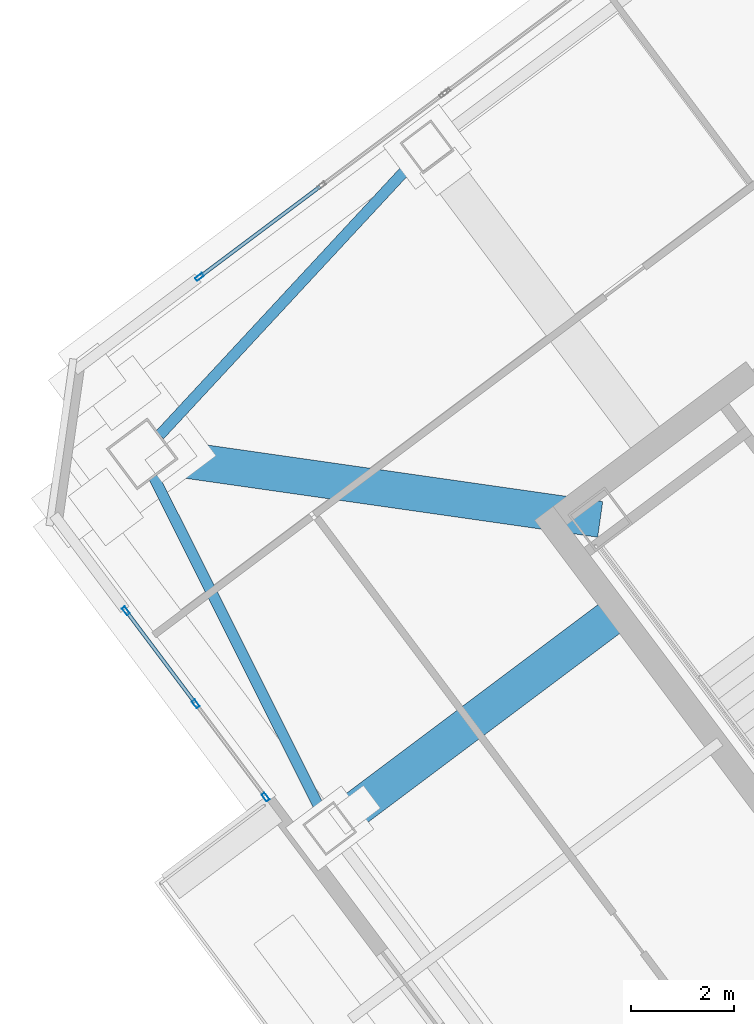
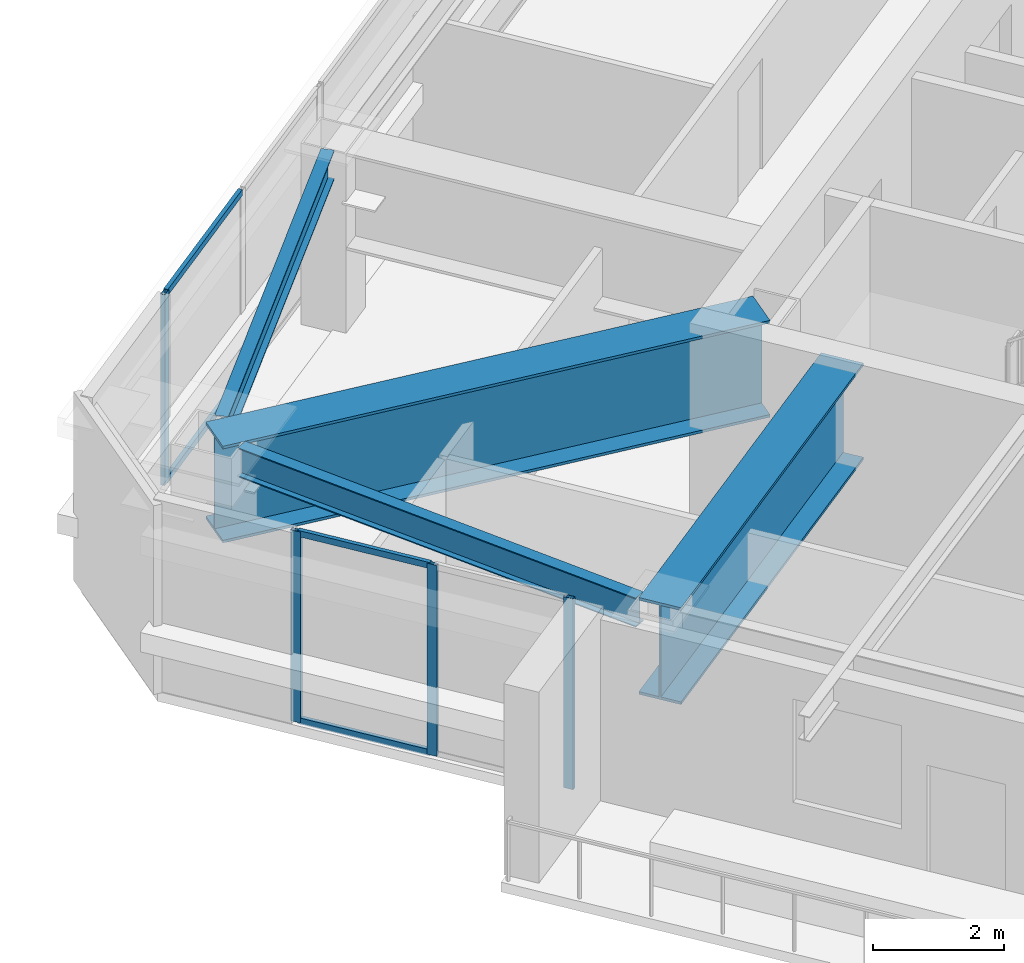
# One storey, part 20 of 40: 8 members, 4 beams, 2 elements without a shape of their own.
"""IFC4 building model written with IfcOpenShell, lengths in metres."""

from ifc_helpers import new_model, si_unit, direction, frame, origin, origin_2d, place, context, subcontext, project, spatial, hollow_rectangle, i_section, extrude, material, material_profile, profile_set, type_object, element, aggregate, save


model = new_model("IFC4")

# Units and contexts
model_context = context("Model", 3, precision=1e-05, world=origin(), true_north=direction((0.0, 1.0)))
body_context = subcontext(model_context, "Body", "Model", "MODEL_VIEW")
ifc_project = project(units=[si_unit("LENGTHUNIT", "METRE"), si_unit("AREAUNIT", "SQUARE_METRE"), si_unit("VOLUMEUNIT", "CUBIC_METRE"), si_unit("PLANEANGLEUNIT", "RADIAN"), si_unit("MASSUNIT", "GRAM", prefix="KILO")], contexts=[model_context])

# Site, building, storey
site_placement = place(None, origin())
site = spatial("IfcSite", under=ifc_project, at=site_placement, CompositionType="ELEMENT")
building_placement = place(site_placement, origin())
building = spatial("IfcBuilding", under=site, at=building_placement, Name="Tashvorn Skyway Center", CompositionType="ELEMENT")
storey_placement = place(building_placement, frame((0.0, 0.0, 229.050048828125)))
storey = spatial("IfcBuildingStorey", under=building, at=storey_placement, Name="L62", CompositionType="ELEMENT", Elevation=229.050048828125)

# Beams
ifc_material_1 = material(Name="Steel ASTM A572 Grade 50", Category="steel")
ifc_material_profile_1 = material_profile(ifc_material_1, i_section(OverallWidth=0.699951171875, OverallDepth=1.800048828125, WebThickness=0.031982421875, FlangeThickness=0.050048828125, at=origin_2d()), Name="PG1800x700")
ifc_profile_set_1 = profile_set([ifc_material_profile_1], Name="Steel ASTM A572 Grade 50")
beam_type_1 = type_object("IfcBeamType", Name="BM-BEAM-PG1800x700", PredefinedType="BEAM", material=ifc_profile_set_1)
beam_1_placement = place(storey_placement, frame((95.239990234375, 34.679931640625, 2.469970703125), z_axis=(0.98994894992, -0.141425162373, 0.0), x_axis=(0.141425162373, 0.98994894992, 0.0)))
element("IfcBeam", 1, at=beam_1_placement, inside=storey, type_object=beam_type_1, Name="Tower 2 L62 Setback Transfer Girder MC-NW", PredefinedType="BEAM", context=body_context, shape_type="SweptSolid", body=[
    extrude(i_section(OverallWidth=0.699951171875, OverallDepth=1.800048828125, WebThickness=0.031982421875, FlangeThickness=0.050048828125, at=origin_2d()), origin(), (0.0, 0.0, 1.0), 8.980224609375),
])
beam_2_placement = place(storey_placement, frame((98.8798828125, 27.409912109375, 2.469970703125), z_axis=(0.799987568546, 0.600016574915, 0.0), x_axis=(-0.600016574915, 0.799987568546, 0.0)))
element("IfcBeam", 2, at=beam_2_placement, inside=storey, type_object=beam_type_1, Name="Tower 2 L62 Setback Transfer Girder FC-W1", PredefinedType="BEAM", context=body_context, shape_type="SweptSolid", body=[
    extrude(i_section(OverallWidth=0.699951171875, OverallDepth=1.800048828125, WebThickness=0.031982421875, FlangeThickness=0.050048828125, at=origin_2d()), origin(), (0.0, 0.0, 1.0), 7.070068359375),
])
ifc_material_2 = material(Name="Steel ASTM A992 Grade 50", Category="steel")
ifc_material_profile_2 = material_profile(ifc_material_2, i_section(OverallWidth=0.2109375, OverallDepth=0.5390625, WebThickness=0.01171875, FlangeThickness=0.018798828125, at=origin_2d()), Name="W21X73")
ifc_profile_set_2 = profile_set([ifc_material_profile_2], Name="Steel ASTM A992 Grade 50")
beam_type_2 = type_object("IfcBeamType", Name="BM-SPANDREL-W21X73", PredefinedType="SPANDREL", material=ifc_profile_set_2)
for number, where, z_axis, x_axis, name in (
    (3, (100.518310546875, 40.36865234375, 3.100341796875), (-0.680182956622, -0.733042389989, 0.0), (0.733042389989, -0.680182956622, 0.0), "Tower 2 L62 Spandrel Beam 09"),
    (4, (95.461669921875, 34.2373046875, 3.100341796875), (0.447710870872, -0.894178380472, 0.0), (0.894178380472, 0.447710870872, 0.0), "Tower 2 L62 Spandrel Beam 10"),
):
    element("IfcBeam", number, at=place(storey_placement, frame(where, z_axis=z_axis, x_axis=x_axis)), inside=storey, type_object=beam_type_2, Name=name, PredefinedType="SPANDREL", context=body_context, shape_type="SweptSolid", body=[
        extrude(i_section(OverallWidth=0.2109375, OverallDepth=0.5390625, WebThickness=0.01171875, FlangeThickness=0.018798828125, at=origin_2d()), origin(), (0.0, 0.0, 1.0), 7.26513671875),
    ])

# Curtain wall, members
ifc_material_3 = material(Name="Thermally broken bronze-anodized aluminium 6063-T6", Category="aluminium")
curtain_wall_type = type_object("IfcCurtainWallType", Name="CW-CW-Z5", PredefinedType="NOTDEFINED", material=ifc_material_3)
curtain_wall_1_placement = place(storey_placement, origin())
curtain_wall_1 = element("IfcCurtainWall", 5, at=curtain_wall_1_placement, inside=storey, type_object=curtain_wall_type, Name="Tower 2 L62 West Curtain Wall R Glazing Group 1", PredefinedType="NOTDEFINED")
ifc_material_profile_3 = material_profile(ifc_material_3, hollow_rectangle(XDim=0.070068359375, YDim=0.1650390625, WallThickness=0.00390625, at=origin_2d()), Name="ALU-MULL-70x165")
ifc_profile_set_3 = profile_set([ifc_material_profile_3], Name="Thermally broken bronze-anodized aluminium 6063-T6")
member_type_1 = type_object("IfcMemberType", Name="CWM-CW-Z5", PredefinedType="MULLION", material=ifc_profile_set_3)
member_1_placement = place(storey_placement, frame((97.635009765625, 28.02001953125, 0.0), z_axis=(0.0, 0.0, 1.0), x_axis=(-0.799997383693, -0.600003488393, 0.0)))
member_1 = element("IfcMember", 6, at=member_1_placement, type_object=member_type_1, Name="CW-Z5 mullion 1", PredefinedType="MULLION", context=body_context, shape_type="SweptSolid", body=[
    extrude(hollow_rectangle(XDim=0.070068359375, YDim=0.1650390625, WallThickness=0.00390625, at=origin_2d()), origin(), (0.0, 0.0, 1.0), 3.550048828125),
])
member_2_placement = place(storey_placement, frame((96.280029296875, 29.82666015625, 0.0), z_axis=(0.0, 0.0, 1.0), x_axis=(-0.799997383693, -0.600003488393, 0.0)))
member_2 = element("IfcMember", 7, at=member_2_placement, type_object=member_type_1, Name="CW-Z5 mullion 2", PredefinedType="MULLION", context=body_context, shape_type="SweptSolid", body=[
    extrude(hollow_rectangle(XDim=0.070068359375, YDim=0.1650390625, WallThickness=0.00390625, at=origin_2d()), origin(), (0.0, 0.0, 1.0), 3.550048828125),
])
member_3_placement = place(storey_placement, frame((94.925048828125, 31.63330078125, 0.0), z_axis=(0.0, 0.0, 1.0), x_axis=(-0.799997383693, -0.600003488393, 0.0)))
member_3 = element("IfcMember", 8, at=member_3_placement, type_object=member_type_1, Name="CW-Z5 mullion 3", PredefinedType="MULLION", context=body_context, shape_type="SweptSolid", body=[
    extrude(hollow_rectangle(XDim=0.070068359375, YDim=0.1650390625, WallThickness=0.00390625, at=origin_2d()), origin(), (0.0, 0.0, 1.0), 3.550048828125),
])

# Curtain wall, member
curtain_wall_2_placement = place(storey_placement, origin())
curtain_wall_2 = element("IfcCurtainWall", 9, at=curtain_wall_2_placement, inside=storey, type_object=curtain_wall_type, Name="Tower 2 L62 North Unitised Curtain Wall Glazing Group 1", PredefinedType="NOTDEFINED")
member_4_placement = place(storey_placement, frame((96.352294921875, 38.1142578125, 0.0), z_axis=(0.0, 0.0, 1.0), x_axis=(-0.600002670604, 0.79999799704, 0.0)))
member_4 = element("IfcMember", 10, at=member_4_placement, type_object=member_type_1, Name="CW-Z5 mullion 1", PredefinedType="MULLION", context=body_context, shape_type="SweptSolid", body=[
    extrude(hollow_rectangle(XDim=0.070068359375, YDim=0.1650390625, WallThickness=0.00390625, at=origin_2d()), origin(), (0.0, 0.0, 1.0), 3.550048828125),
])

# Member
ifc_material_profile_4 = material_profile(ifc_material_3, hollow_rectangle(XDim=0.070068359375, YDim=0.114990234375, WallThickness=0.00390625, at=origin_2d()), Name="ALU-TRAN-70x115")
ifc_profile_set_4 = profile_set([ifc_material_profile_4], Name="Thermally broken bronze-anodized aluminium 6063-T6")
member_type_2 = type_object("IfcMemberType", Name="CWT-CW-Z5", PredefinedType="USERDEFINED", material=ifc_profile_set_4)
member_5_placement = place(storey_placement, frame((96.259033203125, 29.854736328125, 0.034912109375), z_axis=(-0.600035702531, 0.799973221857, 0.0), x_axis=(-0.799973221857, -0.600035702531, 0.0)))
member_5 = element("IfcMember", 11, at=member_5_placement, type_object=member_type_2, Name="CW-Z5 transom 2.1", ObjectType="TRANSOM", PredefinedType="USERDEFINED", context=body_context, shape_type="SweptSolid", body=[
    extrude(hollow_rectangle(XDim=0.070068359375, YDim=0.114990234375, WallThickness=0.00390625, at=origin_2d()), origin(), (0.0, 0.0, 1.0), 2.188232421875),
])

member_6_placement = place(storey_placement, frame((96.259033203125, 29.854736328125, 3.514892578125), z_axis=(-0.600035702531, 0.799973221857, 0.0), x_axis=(-0.799973221857, -0.600035702531, 0.0)))
member_6 = element("IfcMember", 12, at=member_6_placement, type_object=member_type_2, Name="CW-Z5 transom 2.2", ObjectType="TRANSOM", PredefinedType="USERDEFINED", context=body_context, shape_type="SweptSolid", body=[
    extrude(hollow_rectangle(XDim=0.070068359375, YDim=0.114990234375, WallThickness=0.00390625, at=origin_2d()), origin(), (0.0, 0.0, 1.0), 2.188232421875),
])

aggregate(curtain_wall_1, [member_1, member_2, member_3, member_5, member_6])

member_7_placement = place(storey_placement, frame((96.38037109375, 38.13525390625, 0.034912109375), z_axis=(0.8, 0.6, 0.0), x_axis=(-0.6, 0.8, 0.0)))
member_7 = element("IfcMember", 13, at=member_7_placement, type_object=member_type_2, Name="CW-Z5 transom 1.1", ObjectType="TRANSOM", PredefinedType="USERDEFINED", context=body_context, shape_type="SweptSolid", body=[
    extrude(hollow_rectangle(XDim=0.070068359375, YDim=0.114990234375, WallThickness=0.00390625, at=origin_2d()), origin(), (0.0, 0.0, 1.0), 2.890625),
])

member_8_placement = place(storey_placement, frame((96.38037109375, 38.13525390625, 3.514892578125), z_axis=(0.8, 0.6, 0.0), x_axis=(-0.6, 0.8, 0.0)))
member_8 = element("IfcMember", 14, at=member_8_placement, type_object=member_type_2, Name="CW-Z5 transom 1.2", ObjectType="TRANSOM", PredefinedType="USERDEFINED", context=body_context, shape_type="SweptSolid", body=[
    extrude(hollow_rectangle(XDim=0.070068359375, YDim=0.114990234375, WallThickness=0.00390625, at=origin_2d()), origin(), (0.0, 0.0, 1.0), 2.890625),
])

aggregate(curtain_wall_2, [member_4, member_7, member_8])

save(model, "model.ifc")
